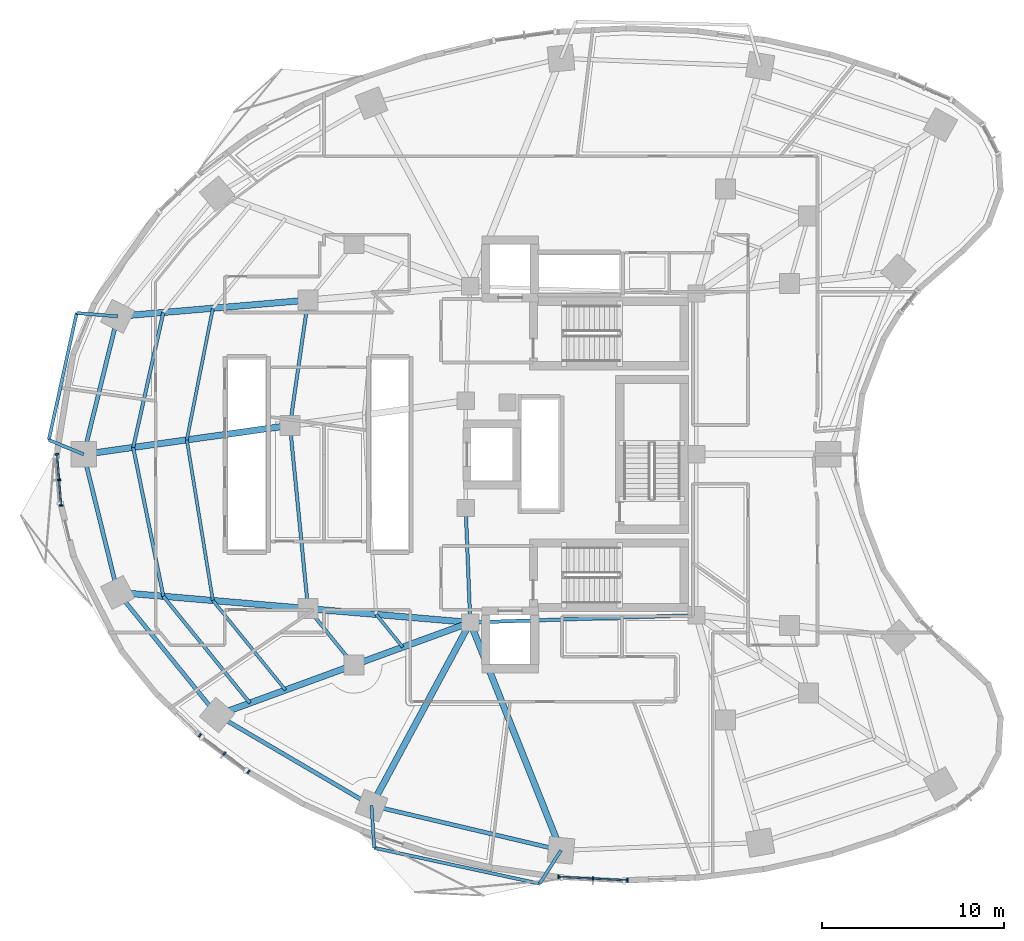
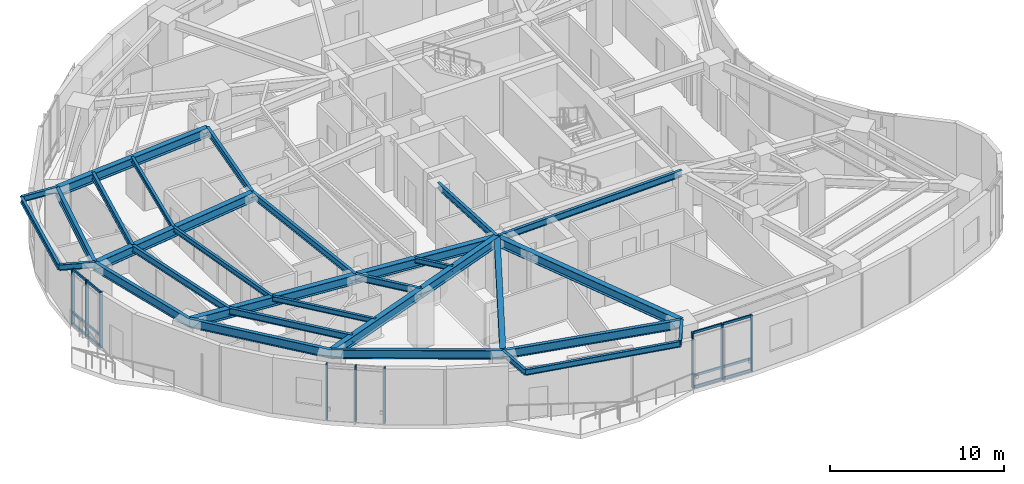
# One storey, part 2 of 16: 31 beams, 21 members, 3 elements without a shape of their own.
"""IFC4 building model written with IfcOpenShell, lengths in metres."""

from ifc_helpers import new_model, si_unit, direction, frame, origin, origin_2d, place, context, subcontext, project, spatial, rectangle, i_section, extrude, material, layer, layer_set, material_profile, profile_set, type_object, element, aggregate, save


model = new_model("IFC4")

# Units and contexts
model_context = context("Model", 3, precision=1e-05, world=origin(), true_north=direction((0.0, 1.0)))
body_context = subcontext(model_context, "Body", "Model", "MODEL_VIEW")
ifc_project = project(units=[si_unit("LENGTHUNIT", "METRE"), si_unit("AREAUNIT", "SQUARE_METRE"), si_unit("VOLUMEUNIT", "CUBIC_METRE"), si_unit("PLANEANGLEUNIT", "RADIAN"), si_unit("MASSUNIT", "GRAM", prefix="KILO")], contexts=[model_context])

# Site, building, storey
site_placement = place(None, origin())
site = spatial("IfcSite", under=ifc_project, at=site_placement, CompositionType="ELEMENT")
building_placement = place(site_placement, origin())
building = spatial("IfcBuilding", under=site, at=building_placement, Name="Korentha Bioscience Tower", CompositionType="ELEMENT")
storey_placement = place(building_placement, frame((0.0, 0.0, 55.199951171875)))
storey = spatial("IfcBuildingStorey", under=building, at=storey_placement, Name="L12", CompositionType="ELEMENT", Elevation=55.199951171875)

# Beams
ifc_material_1 = material(Name="Steel S355", Category="steel")
ifc_material_profile_1 = material_profile(ifc_material_1, i_section(OverallWidth=0.18994140625, OverallDepth=0.45703125, WebThickness=0.009033203125, FlangeThickness=0.014404296875, at=origin_2d()), Name="Steel S355")
ifc_profile_set_1 = profile_set([ifc_material_profile_1], Name="Steel S355 (MB-460)")
beam_type_1 = type_object("IfcBeamType", Name="Mid-Ring Tie Girder W460x74", PredefinedType="BEAM", material=ifc_profile_set_1)
beam_1_placement = place(storey_placement, frame((16.174072265625, 35.489013671875, 3.671630859375), z_axis=(-0.14286846228, -0.989741684727, 0.0), x_axis=(0.989741684727, -0.14286846228, 0.0)))
element("IfcBeam", 1, at=beam_1_placement, inside=storey, type_object=beam_type_1, Name="L12 Mid-Ring Tie Girder 06", PredefinedType="BEAM", context=body_context, shape_type="SweptSolid", body=[
    extrude(i_section(OverallWidth=0.18994140625, OverallDepth=0.45703125, WebThickness=0.009033203125, FlangeThickness=0.014404296875, at=origin_2d()), origin(), (0.0, 0.0, 1.0), 6.967041015625),
])
beam_2_placement = place(storey_placement, frame((15.1787109375, 28.593505859375, 3.671630859375), z_axis=(0.098243909277, -0.995162365793, 0.0), x_axis=(0.995162365793, 0.098243909277, 0.0)))
element("IfcBeam", 2, at=beam_2_placement, inside=storey, type_object=beam_type_1, Name="L12 Mid-Ring Tie Girder 07", PredefinedType="BEAM", context=body_context, shape_type="SweptSolid", body=[
    extrude(i_section(OverallWidth=0.18994140625, OverallDepth=0.45703125, WebThickness=0.009033203125, FlangeThickness=0.014404296875, at=origin_2d()), origin(), (0.0, 0.0, 1.0), 10.131591796875),
])
beam_3_placement = place(storey_placement, frame((16.174072265625, 18.510986328125, 3.671630859375), z_axis=(0.629790009744, -0.776765436684, 0.0), x_axis=(0.776765436684, 0.629790009744, 0.0)))
element("IfcBeam", 3, at=beam_3_placement, inside=storey, type_object=beam_type_1, Name="L12 Mid-Ring Tie Girder 08", PredefinedType="BEAM", context=body_context, shape_type="SweptSolid", body=[
    extrude(i_section(OverallWidth=0.18994140625, OverallDepth=0.45703125, WebThickness=0.009033203125, FlangeThickness=0.014404296875, at=origin_2d()), origin(), (0.0, 0.0, 1.0), 3.998291015625),
])
beam_4_placement = place(storey_placement, frame((24.85009765625, 24.050048828125, 3.671630859375), z_axis=(0.039651025576, -0.999213588864, 0.0), x_axis=(0.999213588864, 0.039651025576, 0.0)))
element("IfcBeam", 4, at=beam_4_placement, inside=storey, type_object=beam_type_1, Name="L12 Core Ring Tie Girder 04", PredefinedType="BEAM", context=body_context, shape_type="SweptSolid", body=[
    extrude(i_section(OverallWidth=0.18994140625, OverallDepth=0.45703125, WebThickness=0.009033203125, FlangeThickness=0.014404296875, at=origin_2d()), origin(), (0.0, 0.0, 1.0), 6.304931640625),
])
beam_5_placement = place(storey_placement, frame((25.10009765625, 17.75, 3.671630859375), z_axis=(0.999484526071, 0.032104238723, 0.0), x_axis=(-0.032104238723, 0.999484526071, 0.0)))
element("IfcBeam", 5, at=beam_5_placement, inside=storey, type_object=beam_type_1, Name="L12 Core Ring Tie Girder 05", PredefinedType="BEAM", context=body_context, shape_type="SweptSolid", body=[
    extrude(i_section(OverallWidth=0.18994140625, OverallDepth=0.45703125, WebThickness=0.009033203125, FlangeThickness=0.014404296875, at=origin_2d()), origin(), (0.0, 0.0, 1.0), 12.456298828125),
])

# Curtain wall, members
ifc_material_2 = material(Name="Thermally Broken Aluminium Frame", Category="aluminium")
ifc_layer = layer(ifc_material_2, 0.219970703125, Name="Thermally Broken Aluminium Frame")
ifc_layer_set = layer_set([ifc_layer], Name="Thermally Broken Aluminium Frame (CW-T2)")
curtain_wall_type = type_object("IfcCurtainWallType", Name="Solar-Screened Lab Unitised Curtain Wall CW-T2", PredefinedType="USERDEFINED", material=ifc_layer_set)
curtain_wall_1_placement = place(storey_placement, origin())
curtain_wall_1 = element("IfcCurtainWall", 6, at=curtain_wall_1_placement, inside=storey, type_object=curtain_wall_type, Name="L12 Curtain Wall 19", ObjectType="UNITISED", PredefinedType="USERDEFINED")
ifc_material_3 = material(Name="Anodised Aluminium 6063-T6", Category="aluminium")
ifc_material_profile_2 = material_profile(ifc_material_3, rectangle(XDim=0.090087890625, YDim=0.199951171875, at=origin_2d()), Name="Anodised Aluminium 6063-T6")
ifc_profile_set_2 = profile_set([ifc_material_profile_2], Name="Anodised Aluminium 6063-T6 (CW-MUL)")
member_type_1 = type_object("IfcMemberType", Name="Mullion RECT 90x200", PredefinedType="MULLION", material=ifc_profile_set_2)
member_1_placement = place(storey_placement, frame((2.35986328125, 27.0078125, 0.0), z_axis=(0.0, 0.0, 1.0), x_axis=(0.080820466375, -0.996728675325, 0.0)))
member_1 = element("IfcMember", 7, at=member_1_placement, type_object=member_type_1, Name="CW-L12-19 Mullion 1", PredefinedType="MULLION", context=body_context, shape_type="SweptSolid", body=[
    extrude(rectangle(XDim=0.090087890625, YDim=0.199951171875, at=origin_2d()), origin(), (0.0, 0.0, 1.0), 3.900146484375),
])
member_2_placement = place(storey_placement, frame((2.474365234375, 25.597412109375, 0.0), z_axis=(0.0, 0.0, 1.0), x_axis=(0.080820466375, -0.996728675325, 0.0)))
member_2 = element("IfcMember", 8, at=member_2_placement, type_object=member_type_1, Name="CW-L12-19 Mullion 2", PredefinedType="MULLION", context=body_context, shape_type="SweptSolid", body=[
    extrude(rectangle(XDim=0.090087890625, YDim=0.199951171875, at=origin_2d()), origin(), (0.0, 0.0, 1.0), 3.900146484375),
])
member_3_placement = place(storey_placement, frame((2.588623046875, 24.187255859375, 0.0), z_axis=(0.0, 0.0, 1.0), x_axis=(0.080820466375, -0.996728675325, 0.0)))
member_3 = element("IfcMember", 9, at=member_3_placement, type_object=member_type_1, Name="CW-L12-19 Mullion 3", PredefinedType="MULLION", context=body_context, shape_type="SweptSolid", body=[
    extrude(rectangle(XDim=0.090087890625, YDim=0.199951171875, at=origin_2d()), origin(), (0.0, 0.0, 1.0), 3.900146484375),
])

curtain_wall_2_placement = place(storey_placement, origin())
curtain_wall_2 = element("IfcCurtainWall", 10, at=curtain_wall_2_placement, inside=storey, type_object=curtain_wall_type, Name="L12 Curtain Wall 25", ObjectType="UNITISED", PredefinedType="USERDEFINED")
member_4_placement = place(storey_placement, frame((10.2216796875, 11.538818359375, 0.0), z_axis=(0.0, 0.0, 1.0), x_axis=(0.800797909614, -0.598934644145, 0.0)))
member_4 = element("IfcMember", 11, at=member_4_placement, type_object=member_type_1, Name="CW-L12-25 Mullion 1", PredefinedType="MULLION", context=body_context, shape_type="SweptSolid", body=[
    extrude(rectangle(XDim=0.090087890625, YDim=0.199951171875, at=origin_2d()), origin(), (0.0, 0.0, 1.0), 3.900146484375),
])
member_5_placement = place(storey_placement, frame((11.5634765625, 10.53515625, 0.0), z_axis=(0.0, 0.0, 1.0), x_axis=(0.800797909614, -0.598934644145, 0.0)))
member_5 = element("IfcMember", 12, at=member_5_placement, type_object=member_type_1, Name="CW-L12-25 Mullion 2", PredefinedType="MULLION", context=body_context, shape_type="SweptSolid", body=[
    extrude(rectangle(XDim=0.090087890625, YDim=0.199951171875, at=origin_2d()), origin(), (0.0, 0.0, 1.0), 3.900146484375),
])
member_6_placement = place(storey_placement, frame((12.9052734375, 9.53173828125, 0.0), z_axis=(0.0, 0.0, 1.0), x_axis=(0.800797909614, -0.598934644145, 0.0)))
member_6 = element("IfcMember", 13, at=member_6_placement, type_object=member_type_1, Name="CW-L12-25 Mullion 3", PredefinedType="MULLION", context=body_context, shape_type="SweptSolid", body=[
    extrude(rectangle(XDim=0.090087890625, YDim=0.199951171875, at=origin_2d()), origin(), (0.0, 0.0, 1.0), 3.900146484375),
])
aggregate(curtain_wall_2, [member_4, member_5, member_6])

curtain_wall_3_placement = place(storey_placement, origin())
curtain_wall_3 = element("IfcCurtainWall", 14, at=curtain_wall_3_placement, inside=storey, type_object=curtain_wall_type, Name="L12 Curtain Wall 31", ObjectType="UNITISED", PredefinedType="USERDEFINED")
member_7_placement = place(storey_placement, frame((29.9541015625, 3.75244140625, 0.0), z_axis=(0.0, 0.0, 1.0), x_axis=(0.998730551641, -0.050371472279, 0.0)))
member_7 = element("IfcMember", 15, at=member_7_placement, type_object=member_type_1, Name="CW-L12-31 Mullion 1", PredefinedType="MULLION", context=body_context, shape_type="SweptSolid", body=[
    extrude(rectangle(XDim=0.090087890625, YDim=0.199951171875, at=origin_2d()), origin(), (0.0, 0.0, 1.0), 3.900146484375),
])
member_8_placement = place(storey_placement, frame((31.855224609375, 3.656494140625, 0.0), z_axis=(0.0, 0.0, 1.0), x_axis=(0.998730551641, -0.050371472279, 0.0)))
member_8 = element("IfcMember", 16, at=member_8_placement, type_object=member_type_1, Name="CW-L12-31 Mullion 2", PredefinedType="MULLION", context=body_context, shape_type="SweptSolid", body=[
    extrude(rectangle(XDim=0.090087890625, YDim=0.199951171875, at=origin_2d()), origin(), (0.0, 0.0, 1.0), 3.900146484375),
])
member_9_placement = place(storey_placement, frame((33.75634765625, 3.560791015625, 0.0), z_axis=(0.0, 0.0, 1.0), x_axis=(0.998730551641, -0.050371472279, 0.0)))
member_9 = element("IfcMember", 17, at=member_9_placement, type_object=member_type_1, Name="CW-L12-31 Mullion 3", PredefinedType="MULLION", context=body_context, shape_type="SweptSolid", body=[
    extrude(rectangle(XDim=0.090087890625, YDim=0.199951171875, at=origin_2d()), origin(), (0.0, 0.0, 1.0), 3.900146484375),
])

# Beams
ifc_material_profile_3 = material_profile(ifc_material_1, i_section(OverallWidth=0.22802734375, OverallDepth=0.60791015625, WebThickness=0.01123046875, FlangeThickness=0.017333984375, at=origin_2d()), Name="Steel S355")
ifc_profile_set_3 = profile_set([ifc_material_profile_3], Name="Steel S355 (SB-610)")
beam_type_2 = type_object("IfcBeamType", Name="Perimeter Ring Spandrel Girder W610x113", PredefinedType="SPANDREL", material=ifc_profile_set_3)
beam_6_placement = place(storey_placement, frame((5.69580078125, 34.595703125, 3.595947265625), z_axis=(-0.239119105624, -0.970990243682, 0.0), x_axis=(0.970990243682, -0.239119105624, 0.0)))
element("IfcBeam", 18, at=beam_6_placement, inside=storey, type_object=beam_type_2, Name="L12 Perimeter Spandrel Girder 06", PredefinedType="SPANDREL", context=body_context, shape_type="SweptSolid", body=[
    extrude(i_section(OverallWidth=0.22802734375, OverallDepth=0.60791015625, WebThickness=0.01123046875, FlangeThickness=0.017333984375, at=origin_2d()), origin(), (0.0, 0.0, 1.0), 7.82177734375),
])
beam_7_placement = place(storey_placement, frame((3.825439453125, 27.000732421875, 3.595947265625), z_axis=(0.23907563132, -0.971000948768, 0.0), x_axis=(0.971000948768, 0.23907563132, 0.0)))
element("IfcBeam", 19, at=beam_7_placement, inside=storey, type_object=beam_type_2, Name="L12 Perimeter Spandrel Girder 07", PredefinedType="SPANDREL", context=body_context, shape_type="SweptSolid", body=[
    extrude(i_section(OverallWidth=0.22802734375, OverallDepth=0.60791015625, WebThickness=0.01123046875, FlangeThickness=0.017333984375, at=origin_2d()), origin(), (0.0, 0.0, 1.0), 7.8232421875),
])
beam_8_placement = place(storey_placement, frame((5.69580078125, 19.404296875, 3.595947265625), z_axis=(0.629799210231, -0.776757976974, 0.0), x_axis=(0.776757976974, 0.629799210231, 0.0)))
element("IfcBeam", 20, at=beam_8_placement, inside=storey, type_object=beam_type_2, Name="L12 Perimeter Spandrel Girder 08", PredefinedType="SPANDREL", context=body_context, shape_type="SweptSolid", body=[
    extrude(i_section(OverallWidth=0.22802734375, OverallDepth=0.60791015625, WebThickness=0.01123046875, FlangeThickness=0.017333984375, at=origin_2d()), origin(), (0.0, 0.0, 1.0), 8.69189453125),
])
beam_9_placement = place(storey_placement, frame((11.169921875, 12.65283203125, 3.595947265625), z_axis=(0.862656574181, -0.505790109653, 0.0), x_axis=(0.505790109653, 0.862656574181, 0.0)))
element("IfcBeam", 21, at=beam_9_placement, inside=storey, type_object=beam_type_2, Name="L12 Perimeter Spandrel Girder 09", PredefinedType="SPANDREL", context=body_context, shape_type="SweptSolid", body=[
    extrude(i_section(OverallWidth=0.22802734375, OverallDepth=0.60791015625, WebThickness=0.01123046875, FlangeThickness=0.017333984375, at=origin_2d()), origin(), (0.0, 0.0, 1.0), 9.849365234375),
])
beam_10_placement = place(storey_placement, frame((19.66650390625, 7.671142578125, 3.595947265625), z_axis=(0.973207885376, -0.229926970672, 0.0), x_axis=(0.229926970672, 0.973207885376, 0.0)))
element("IfcBeam", 22, at=beam_10_placement, inside=storey, type_object=beam_type_2, Name="L12 Perimeter Spandrel Girder 10", PredefinedType="SPANDREL", context=body_context, shape_type="SweptSolid", body=[
    extrude(i_section(OverallWidth=0.22802734375, OverallDepth=0.60791015625, WebThickness=0.01123046875, FlangeThickness=0.017333984375, at=origin_2d()), origin(), (0.0, 0.0, 1.0), 10.71484375),
])
ifc_material_profile_4 = material_profile(ifc_material_1, i_section(OverallWidth=0.18994140625, OverallDepth=0.45703125, WebThickness=0.009033203125, FlangeThickness=0.014404296875, at=origin_2d()), Name="Steel S355")
ifc_profile_set_4 = profile_set([ifc_material_profile_4], Name="Steel S355 (RB-460)")
beam_type_3 = type_object("IfcBeamType", Name="Radial Laboratory Beam W460x74", PredefinedType="BEAM", material=ifc_profile_set_4)
beam_11_placement = place(storey_placement, frame((8.21044921875, 34.81005859375, 3.671630859375), z_axis=(-0.218146323162, -0.975916073077, 0.0), x_axis=(0.975916073077, -0.218146323162, 0.0)))
element("IfcBeam", 23, at=beam_11_placement, inside=storey, type_object=beam_type_3, Name="L12 Secondary Floor Beam JSTO-06", PredefinedType="BEAM", context=body_context, shape_type="SweptSolid", body=[
    extrude(i_section(OverallWidth=0.18994140625, OverallDepth=0.45703125, WebThickness=0.009033203125, FlangeThickness=0.014404296875, at=origin_2d()), origin(), (0.0, 0.0, 1.0), 7.6103515625),
])
beam_12_placement = place(storey_placement, frame((6.55029296875, 27.383056640625, 3.671630859375), z_axis=(0.198592296955, -0.980082190222, 0.0), x_axis=(0.980082190222, 0.198592296955, 0.0)))
element("IfcBeam", 24, at=beam_12_placement, inside=storey, type_object=beam_type_3, Name="L12 Secondary Floor Beam JSTO-07", PredefinedType="BEAM", context=body_context, shape_type="SweptSolid", body=[
    extrude(i_section(OverallWidth=0.18994140625, OverallDepth=0.45703125, WebThickness=0.009033203125, FlangeThickness=0.014404296875, at=origin_2d()), origin(), (0.0, 0.0, 1.0), 8.359619140625),
])
beam_13_placement = place(storey_placement, frame((8.21044921875, 19.18994140625, 3.671630859375), z_axis=(0.629797748553, -0.776759162107, 0.0), x_axis=(0.776759162107, 0.629797748553, 0.0)))
element("IfcBeam", 25, at=beam_13_placement, inside=storey, type_object=beam_type_3, Name="L12 Secondary Floor Beam JSTO-08", PredefinedType="BEAM", context=body_context, shape_type="SweptSolid", body=[
    extrude(i_section(OverallWidth=0.18994140625, OverallDepth=0.45703125, WebThickness=0.009033203125, FlangeThickness=0.014404296875, at=origin_2d()), origin(), (0.0, 0.0, 1.0), 7.5654296875),
])
ifc_material_profile_5 = material_profile(ifc_material_1, i_section(OverallWidth=0.35009765625, OverallDepth=0.64990234375, WebThickness=0.01611328125, FlangeThickness=0.02490234375, at=origin_2d()), Name="Steel S355")
ifc_profile_set_5 = profile_set([ifc_material_profile_5], Name="Steel S355 (RB-650)")
beam_type_4 = type_object("IfcBeamType", Name="Radial Laboratory Girder CVS 650x208", PredefinedType="BEAM", material=ifc_profile_set_5)
beam_14_placement = place(storey_placement, frame((16.174072265625, 35.489013671875, 3.574951171875), z_axis=(-0.996385601055, -0.084945476695, 0.0), x_axis=(0.084945476695, -0.996385601055, 0.0)))
element("IfcBeam", 26, at=beam_14_placement, inside=storey, type_object=beam_type_4, Name="L12 Outer Radial Girder 06", PredefinedType="BEAM", context=body_context, shape_type="SweptSolid", body=[
    extrude(i_section(OverallWidth=0.35009765625, OverallDepth=0.64990234375, WebThickness=0.01611328125, FlangeThickness=0.02490234375, at=origin_2d()), origin(), (0.0, 0.0, 1.0), 10.516357421875),
])
beam_15_placement = place(storey_placement, frame((15.1787109375, 28.593505859375, 3.574951171875), z_axis=(-0.99030199745, -0.138931471762, 0.0), x_axis=(0.138931471762, -0.99030199745, 0.0)))
element("IfcBeam", 27, at=beam_15_placement, inside=storey, type_object=beam_type_4, Name="L12 Outer Radial Girder 07", PredefinedType="BEAM", context=body_context, shape_type="SweptSolid", body=[
    extrude(i_section(OverallWidth=0.35009765625, OverallDepth=0.64990234375, WebThickness=0.01611328125, FlangeThickness=0.02490234375, at=origin_2d()), origin(), (0.0, 0.0, 1.0), 11.46435546875),
])
beam_16_placement = place(storey_placement, frame((25.10009765625, 17.75, 3.574951171875), z_axis=(-0.996385503026, 0.08494662654, 0.0), x_axis=(-0.08494662654, -0.996385503026, 0.0)))
element("IfcBeam", 28, at=beam_16_placement, inside=storey, type_object=beam_type_4, Name="L12 Inner Radial Girder 08", PredefinedType="BEAM", context=body_context, shape_type="SweptSolid", body=[
    extrude(i_section(OverallWidth=0.35009765625, OverallDepth=0.64990234375, WebThickness=0.01611328125, FlangeThickness=0.02490234375, at=origin_2d()), origin(), (0.0, 0.0, 1.0), 8.95849609375),
])
beam_17_placement = place(storey_placement, frame((16.174072265625, 18.510986328125, 3.574951171875), z_axis=(-0.996385601055, 0.084945476695, 0.0), x_axis=(-0.084945476695, -0.996385601055, 0.0)))
element("IfcBeam", 29, at=beam_17_placement, inside=storey, type_object=beam_type_4, Name="L12 Outer Radial Girder 08", PredefinedType="BEAM", context=body_context, shape_type="SweptSolid", body=[
    extrude(i_section(OverallWidth=0.35009765625, OverallDepth=0.64990234375, WebThickness=0.01611328125, FlangeThickness=0.02490234375, at=origin_2d()), origin(), (0.0, 0.0, 1.0), 10.516357421875),
])
beam_18_placement = place(storey_placement, frame((25.10009765625, 17.75, 3.574951171875), z_axis=(-0.939106237741, -0.343626940498, 0.0), x_axis=(0.343626940498, -0.939106237741, 0.0)))
element("IfcBeam", 30, at=beam_18_placement, inside=storey, type_object=beam_type_4, Name="L12 Inner Radial Girder 09", PredefinedType="BEAM", context=body_context, shape_type="SweptSolid", body=[
    extrude(i_section(OverallWidth=0.35009765625, OverallDepth=0.64990234375, WebThickness=0.01611328125, FlangeThickness=0.02490234375, at=origin_2d()), origin(), (0.0, 0.0, 1.0), 6.823486328125),
])
beam_19_placement = place(storey_placement, frame((18.692138671875, 15.4052734375, 3.574951171875), z_axis=(-0.939106299948, -0.343626770491, 0.0), x_axis=(0.343626770491, -0.939106299948, 0.0)))
element("IfcBeam", 31, at=beam_19_placement, inside=storey, type_object=beam_type_4, Name="L12 Outer Radial Girder 09", PredefinedType="BEAM", context=body_context, shape_type="SweptSolid", body=[
    extrude(i_section(OverallWidth=0.35009765625, OverallDepth=0.64990234375, WebThickness=0.01611328125, FlangeThickness=0.02490234375, at=origin_2d()), origin(), (0.0, 0.0, 1.0), 8.010009765625),
])
beam_20_placement = place(storey_placement, frame((25.10009765625, 17.75, 3.574951171875), z_axis=(-0.47454097106, -0.880233416081, 0.0), x_axis=(0.880233416081, -0.47454097106, 0.0)))
element("IfcBeam", 32, at=beam_20_placement, inside=storey, type_object=beam_type_4, Name="L12 Radial Girder 10", PredefinedType="BEAM", context=body_context, shape_type="SweptSolid", body=[
    extrude(i_section(OverallWidth=0.35009765625, OverallDepth=0.64990234375, WebThickness=0.01611328125, FlangeThickness=0.02490234375, at=origin_2d()), origin(), (0.0, 0.0, 1.0), 11.4501953125),
])
beam_21_placement = place(storey_placement, frame((25.10009765625, 17.75, 3.574951171875), z_axis=(0.369931007413, -0.929059228335, 0.0), x_axis=(0.929059228335, 0.369931007413, 0.0)))
element("IfcBeam", 33, at=beam_21_placement, inside=storey, type_object=beam_type_4, Name="L12 Radial Girder 11", PredefinedType="BEAM", context=body_context, shape_type="SweptSolid", body=[
    extrude(i_section(OverallWidth=0.35009765625, OverallDepth=0.64990234375, WebThickness=0.01611328125, FlangeThickness=0.02490234375, at=origin_2d()), origin(), (0.0, 0.0, 1.0), 13.500244140625),
])
ifc_material_profile_6 = material_profile(ifc_material_1, i_section(OverallWidth=0.1708984375, OverallDepth=0.35498046875, WebThickness=0.007080078125, FlangeThickness=0.01171875, at=origin_2d()), Name="Steel S355")
ifc_profile_set_6 = profile_set([ifc_material_profile_6], Name="Steel S355 (JB-360)")
beam_type_5 = type_object("IfcBeamType", Name="Secondary Laboratory Joist W360x51", PredefinedType="JOIST", material=ifc_profile_set_6)
beam_22_placement = place(storey_placement, frame((10.934814453125, 35.042236328125, 3.72265625), z_axis=(-0.193979665978, -0.981005550029, 0.0), x_axis=(0.981005550029, -0.193979665978, 0.0)))
element("IfcBeam", 34, at=beam_22_placement, inside=storey, type_object=beam_type_5, Name="L12 Secondary Floor Beam JST-06", PredefinedType="JOIST", context=body_context, shape_type="SweptSolid", body=[
    extrude(i_section(OverallWidth=0.1708984375, OverallDepth=0.35498046875, WebThickness=0.007080078125, FlangeThickness=0.01171875, at=origin_2d()), origin(), (0.0, 0.0, 1.0), 7.385498046875),
])
beam_23_placement = place(storey_placement, frame((9.502197265625, 27.797119140625, 3.72265625), z_axis=(0.159984999905, -0.987119445561, 0.0), x_axis=(0.987119445561, 0.159984999905, 0.0)))
element("IfcBeam", 35, at=beam_23_placement, inside=storey, type_object=beam_type_5, Name="L12 Secondary Floor Beam JST-07", PredefinedType="JOIST", context=body_context, shape_type="SweptSolid", body=[
    extrude(i_section(OverallWidth=0.1708984375, OverallDepth=0.35498046875, WebThickness=0.007080078125, FlangeThickness=0.01171875, at=origin_2d()), origin(), (0.0, 0.0, 1.0), 8.95458984375),
])
beam_24_placement = place(storey_placement, frame((10.934814453125, 18.957763671875, 3.72265625), z_axis=(0.629786899984, -0.776767958021, 0.0), x_axis=(0.776767958021, 0.629786899984, 0.0)))
element("IfcBeam", 36, at=beam_24_placement, inside=storey, type_object=beam_type_5, Name="L12 Secondary Floor Beam JST-08", PredefinedType="JOIST", context=body_context, shape_type="SweptSolid", body=[
    extrude(i_section(OverallWidth=0.1708984375, OverallDepth=0.35498046875, WebThickness=0.007080078125, FlangeThickness=0.01171875, at=origin_2d()), origin(), (0.0, 0.0, 1.0), 6.34521484375),
])
beam_25_placement = place(storey_placement, frame((19.9228515625, 18.19140625, 3.72265625), z_axis=(0.629791657613, -0.776764100613, 0.0), x_axis=(0.776764100613, 0.629791657613, 0.0)))
element("IfcBeam", 37, at=beam_25_placement, inside=storey, type_object=beam_type_5, Name="L12 Inner Bay Joist 08", PredefinedType="JOIST", context=body_context, shape_type="SweptSolid", body=[
    extrude(i_section(OverallWidth=0.1708984375, OverallDepth=0.35498046875, WebThickness=0.007080078125, FlangeThickness=0.01171875, at=origin_2d()), origin(), (0.0, 0.0, 1.0), 2.31884765625),
])
ifc_material_profile_7 = material_profile(ifc_material_1, i_section(OverallWidth=0.177978515625, OverallDepth=0.406982421875, WebThickness=0.0078125, FlangeThickness=0.0126953125, at=origin_2d()), Name="Steel S355")
ifc_profile_set_7 = profile_set([ifc_material_profile_7], Name="Steel S355 (CB-410)")
beam_type_6 = type_object("IfcBeamType", Name="Sun-Ledge Cantilever Beam W410x60", PredefinedType="BEAM", material=ifc_profile_set_7)
beam_26_placement = place(storey_placement, frame((5.69580078125, 34.595703125, 3.698486328125), z_axis=(-0.996665296281, 0.08159832835, 0.0), x_axis=(-0.08159832835, -0.996665296281, 0.0)))
element("IfcBeam", 38, at=beam_26_placement, inside=storey, type_object=beam_type_6, Name="L12 Balcony Cantilever Bracket A-L13-02", PredefinedType="BEAM", context=body_context, shape_type="SweptSolid", body=[
    extrude(i_section(OverallWidth=0.177978515625, OverallDepth=0.406982421875, WebThickness=0.0078125, FlangeThickness=0.0126953125, at=origin_2d()), origin(), (0.0, 0.0, 1.0), 2.261962890625),
])
beam_27_placement = place(storey_placement, frame((3.825439453125, 27.000732421875, 3.698486328125), z_axis=(-0.924185686215, 0.381943474084, 0.0), x_axis=(-0.381943474084, -0.924185686215, 0.0)))
element("IfcBeam", 39, at=beam_27_placement, inside=storey, type_object=beam_type_6, Name="L12 Balcony Cantilever Bracket B-L13-02", PredefinedType="BEAM", context=body_context, shape_type="SweptSolid", body=[
    extrude(i_section(OverallWidth=0.177978515625, OverallDepth=0.406982421875, WebThickness=0.0078125, FlangeThickness=0.0126953125, at=origin_2d()), origin(), (0.0, 0.0, 1.0), 2.077392578125),
])
beam_28_placement = place(storey_placement, frame((3.44140625, 34.7802734375, 3.698486328125), z_axis=(-0.214721790189, -0.976675254533, 0.0), x_axis=(0.976675254533, -0.214721790189, 0.0)))
element("IfcBeam", 40, at=beam_28_placement, inside=storey, type_object=beam_type_6, Name="L12 Balcony Edge Trimmer Beam L13-02", PredefinedType="BEAM", context=body_context, shape_type="SweptSolid", body=[
    extrude(i_section(OverallWidth=0.177978515625, OverallDepth=0.406982421875, WebThickness=0.0078125, FlangeThickness=0.0126953125, at=origin_2d()), origin(), (0.0, 0.0, 1.0), 7.15283203125),
])
beam_29_placement = place(storey_placement, frame((19.66650390625, 7.671142578125, 3.698486328125), z_axis=(0.064092946504, -0.997943933399, 0.0), x_axis=(0.997943933399, 0.064092946504, 0.0)))
element("IfcBeam", 41, at=beam_29_placement, inside=storey, type_object=beam_type_6, Name="L12 Balcony Cantilever Bracket A-L13-03", PredefinedType="BEAM", context=body_context, shape_type="SweptSolid", body=[
    extrude(i_section(OverallWidth=0.177978515625, OverallDepth=0.406982421875, WebThickness=0.0078125, FlangeThickness=0.0126953125, at=origin_2d()), origin(), (0.0, 0.0, 1.0), 2.331298828125),
])
beam_30_placement = place(storey_placement, frame((30.09423828125, 5.20751953125, 3.698486328125), z_axis=(-0.539323950512, -0.842098376916, 0.0), x_axis=(0.842098376916, -0.539323950512, 0.0)))
element("IfcBeam", 42, at=beam_30_placement, inside=storey, type_object=beam_type_6, Name="L12 Balcony Cantilever Bracket B-L13-03", PredefinedType="BEAM", context=body_context, shape_type="SweptSolid", body=[
    extrude(i_section(OverallWidth=0.177978515625, OverallDepth=0.406982421875, WebThickness=0.0078125, FlangeThickness=0.0126953125, at=origin_2d()), origin(), (0.0, 0.0, 1.0), 2.1787109375),
])
beam_31_placement = place(storey_placement, frame((19.81591796875, 5.3447265625, 3.698486328125), z_axis=(0.977333174115, -0.211707030529, 0.0), x_axis=(0.211707030529, 0.977333174115, 0.0)))
element("IfcBeam", 43, at=beam_31_placement, inside=storey, type_object=beam_type_6, Name="L12 Balcony Edge Trimmer Beam L13-03", PredefinedType="BEAM", context=body_context, shape_type="SweptSolid", body=[
    extrude(i_section(OverallWidth=0.177978515625, OverallDepth=0.406982421875, WebThickness=0.0078125, FlangeThickness=0.0126953125, at=origin_2d()), origin(), (0.0, 0.0, 1.0), 9.314453125),
])

# Member
ifc_material_profile_8 = material_profile(ifc_material_3, rectangle(XDim=0.090087890625, YDim=0.159912109375, at=origin_2d()), Name="Anodised Aluminium 6063-T6")
ifc_profile_set_8 = profile_set([ifc_material_profile_8], Name="Anodised Aluminium 6063-T6 (CW-TRN)")
member_type_2 = type_object("IfcMemberType", Name="Transom RECT 90x160", PredefinedType="USERDEFINED", material=ifc_profile_set_8)
member_10_placement = place(storey_placement, frame((2.363525390625, 26.963134765625, 0.045166015625), z_axis=(0.080880177847, -0.996723831777, 0.0), x_axis=(0.996723831777, 0.080880177847, 0.0)))
member_10 = element("IfcMember", 44, at=member_10_placement, type_object=member_type_2, Name="CW-L12-19 Bay 1 Transom 1", ObjectType="TRANSOM", PredefinedType="USERDEFINED", context=body_context, shape_type="SweptSolid", body=[
    extrude(rectangle(XDim=0.090087890625, YDim=0.159912109375, at=origin_2d()), origin(), (0.0, 0.0, 1.0), 1.3251953125),
])

member_11_placement = place(storey_placement, frame((2.363525390625, 26.963134765625, 0.85009765625), z_axis=(0.080880177847, -0.996723831777, 0.0), x_axis=(0.996723831777, 0.080880177847, 0.0)))
member_11 = element("IfcMember", 45, at=member_11_placement, type_object=member_type_2, Name="CW-L12-19 Bay 1 Transom 2", ObjectType="TRANSOM", PredefinedType="USERDEFINED", context=body_context, shape_type="SweptSolid", body=[
    extrude(rectangle(XDim=0.090087890625, YDim=0.159912109375, at=origin_2d()), origin(), (0.0, 0.0, 1.0), 1.3251953125),
])

member_12_placement = place(storey_placement, frame((2.363525390625, 26.963134765625, 3.85498046875), z_axis=(0.080880177847, -0.996723831777, 0.0), x_axis=(0.996723831777, 0.080880177847, 0.0)))
member_12 = element("IfcMember", 46, at=member_12_placement, type_object=member_type_2, Name="CW-L12-19 Bay 1 Transom 3", ObjectType="TRANSOM", PredefinedType="USERDEFINED", context=body_context, shape_type="SweptSolid", body=[
    extrude(rectangle(XDim=0.090087890625, YDim=0.159912109375, at=origin_2d()), origin(), (0.0, 0.0, 1.0), 1.3251953125),
])

member_13_placement = place(storey_placement, frame((2.477783203125, 25.552734375, 0.045166015625), z_axis=(0.080880177847, -0.996723831777, 0.0), x_axis=(0.996723831777, 0.080880177847, 0.0)))
member_13 = element("IfcMember", 47, at=member_13_placement, type_object=member_type_2, Name="CW-L12-19 Bay 2 Transom 1", ObjectType="TRANSOM", PredefinedType="USERDEFINED", context=body_context, shape_type="SweptSolid", body=[
    extrude(rectangle(XDim=0.090087890625, YDim=0.159912109375, at=origin_2d()), origin(), (0.0, 0.0, 1.0), 1.3251953125),
])

member_14_placement = place(storey_placement, frame((2.477783203125, 25.552734375, 0.85009765625), z_axis=(0.080880177847, -0.996723831777, 0.0), x_axis=(0.996723831777, 0.080880177847, 0.0)))
member_14 = element("IfcMember", 48, at=member_14_placement, type_object=member_type_2, Name="CW-L12-19 Bay 2 Transom 2", ObjectType="TRANSOM", PredefinedType="USERDEFINED", context=body_context, shape_type="SweptSolid", body=[
    extrude(rectangle(XDim=0.090087890625, YDim=0.159912109375, at=origin_2d()), origin(), (0.0, 0.0, 1.0), 1.3251953125),
])

member_15_placement = place(storey_placement, frame((2.477783203125, 25.552734375, 3.85498046875), z_axis=(0.080880177847, -0.996723831777, 0.0), x_axis=(0.996723831777, 0.080880177847, 0.0)))
member_15 = element("IfcMember", 49, at=member_15_placement, type_object=member_type_2, Name="CW-L12-19 Bay 2 Transom 3", ObjectType="TRANSOM", PredefinedType="USERDEFINED", context=body_context, shape_type="SweptSolid", body=[
    extrude(rectangle(XDim=0.090087890625, YDim=0.159912109375, at=origin_2d()), origin(), (0.0, 0.0, 1.0), 1.3251953125),
])

aggregate(curtain_wall_1, [member_1, member_2, member_3, member_10, member_11, member_12, member_13, member_14, member_15])

member_16_placement = place(storey_placement, frame((29.9990234375, 3.750244140625, 0.045166015625), z_axis=(0.998731776836, -0.050347174085, 0.0), x_axis=(0.050347174085, 0.998731776836, 0.0)))
member_16 = element("IfcMember", 50, at=member_16_placement, type_object=member_type_2, Name="CW-L12-31 Bay 1 Transom 1", ObjectType="TRANSOM", PredefinedType="USERDEFINED", context=body_context, shape_type="SweptSolid", body=[
    extrude(rectangle(XDim=0.090087890625, YDim=0.159912109375, at=origin_2d()), origin(), (0.0, 0.0, 1.0), 1.8134765625),
])

member_17_placement = place(storey_placement, frame((29.9990234375, 3.750244140625, 0.85009765625), z_axis=(0.998731776836, -0.050347174085, 0.0), x_axis=(0.050347174085, 0.998731776836, 0.0)))
member_17 = element("IfcMember", 51, at=member_17_placement, type_object=member_type_2, Name="CW-L12-31 Bay 1 Transom 2", ObjectType="TRANSOM", PredefinedType="USERDEFINED", context=body_context, shape_type="SweptSolid", body=[
    extrude(rectangle(XDim=0.090087890625, YDim=0.159912109375, at=origin_2d()), origin(), (0.0, 0.0, 1.0), 1.8134765625),
])

member_18_placement = place(storey_placement, frame((29.9990234375, 3.750244140625, 3.85498046875), z_axis=(0.998731776836, -0.050347174085, 0.0), x_axis=(0.050347174085, 0.998731776836, 0.0)))
member_18 = element("IfcMember", 52, at=member_18_placement, type_object=member_type_2, Name="CW-L12-31 Bay 1 Transom 3", ObjectType="TRANSOM", PredefinedType="USERDEFINED", context=body_context, shape_type="SweptSolid", body=[
    extrude(rectangle(XDim=0.090087890625, YDim=0.159912109375, at=origin_2d()), origin(), (0.0, 0.0, 1.0), 1.8134765625),
])

member_19_placement = place(storey_placement, frame((31.900146484375, 3.654296875, 0.045166015625), z_axis=(0.998731776836, -0.050347174085, 0.0), x_axis=(0.050347174085, 0.998731776836, 0.0)))
member_19 = element("IfcMember", 53, at=member_19_placement, type_object=member_type_2, Name="CW-L12-31 Bay 2 Transom 1", ObjectType="TRANSOM", PredefinedType="USERDEFINED", context=body_context, shape_type="SweptSolid", body=[
    extrude(rectangle(XDim=0.090087890625, YDim=0.159912109375, at=origin_2d()), origin(), (0.0, 0.0, 1.0), 1.8134765625),
])

member_20_placement = place(storey_placement, frame((31.900146484375, 3.654296875, 0.85009765625), z_axis=(0.998731776836, -0.050347174085, 0.0), x_axis=(0.050347174085, 0.998731776836, 0.0)))
member_20 = element("IfcMember", 54, at=member_20_placement, type_object=member_type_2, Name="CW-L12-31 Bay 2 Transom 2", ObjectType="TRANSOM", PredefinedType="USERDEFINED", context=body_context, shape_type="SweptSolid", body=[
    extrude(rectangle(XDim=0.090087890625, YDim=0.159912109375, at=origin_2d()), origin(), (0.0, 0.0, 1.0), 1.8134765625),
])

member_21_placement = place(storey_placement, frame((31.900146484375, 3.654296875, 3.85498046875), z_axis=(0.998731776836, -0.050347174085, 0.0), x_axis=(0.050347174085, 0.998731776836, 0.0)))
member_21 = element("IfcMember", 55, at=member_21_placement, type_object=member_type_2, Name="CW-L12-31 Bay 2 Transom 3", ObjectType="TRANSOM", PredefinedType="USERDEFINED", context=body_context, shape_type="SweptSolid", body=[
    extrude(rectangle(XDim=0.090087890625, YDim=0.159912109375, at=origin_2d()), origin(), (0.0, 0.0, 1.0), 1.8134765625),
])

aggregate(curtain_wall_3, [member_7, member_8, member_9, member_16, member_17, member_18, member_19, member_20, member_21])

save(model, "model.ifc")
